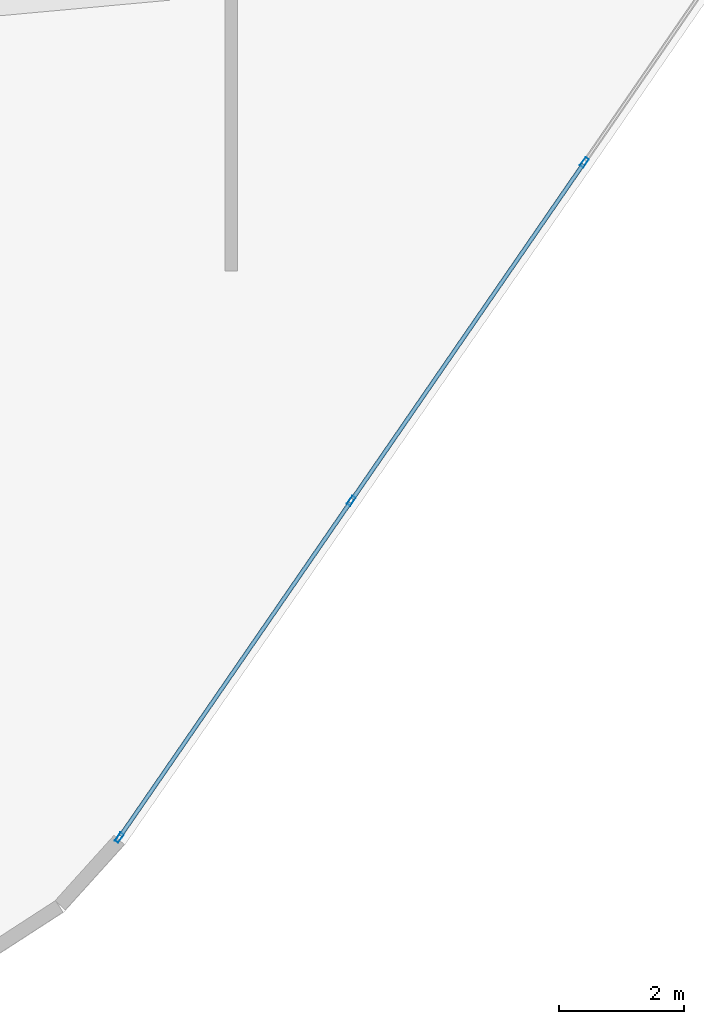
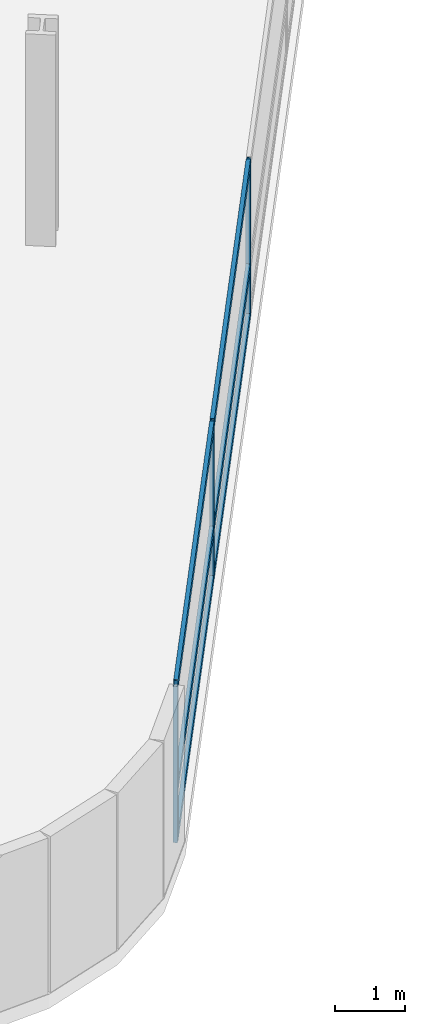
# One storey, part 6 of 24: 9 members, 1 element without a shape of its own.
"""IFC4 building model written with IfcOpenShell, lengths in metres."""

from ifc_helpers import new_model, si_unit, direction, frame, origin, origin_2d, place, context, subcontext, project, spatial, hollow_rectangle, extrude, material, layer, layer_set, material_profile, profile_set, type_object, element, aggregate, save


model = new_model("IFC4")

# Units and contexts
model_context = context("Model", 3, precision=1e-05, world=origin(), true_north=direction((0.0, 1.0)))
body_context = subcontext(model_context, "Body", "Model", "MODEL_VIEW")
ifc_project = project(units=[si_unit("LENGTHUNIT", "METRE"), si_unit("AREAUNIT", "SQUARE_METRE"), si_unit("VOLUMEUNIT", "CUBIC_METRE"), si_unit("PLANEANGLEUNIT", "RADIAN"), si_unit("MASSUNIT", "GRAM", prefix="KILO")], contexts=[model_context])

# Site, building, storey
site_placement = place(None, origin())
site = spatial("IfcSite", under=ifc_project, at=site_placement, CompositionType="ELEMENT")
building_placement = place(site_placement, origin())
building = spatial("IfcBuilding", under=site, at=building_placement, Name="Varnelok Gate Tower", CompositionType="ELEMENT")
storey_placement = place(building_placement, frame((0.0, 0.0, 41.800048828125)))
storey = spatial("IfcBuildingStorey", under=building, at=storey_placement, Name="L09", CompositionType="ELEMENT", Elevation=41.800048828125)

# Curtain wall, members
ifc_material = material(Name="Anodized Aluminum Alloy 6063-T6", Category="aluminium")
ifc_layer = layer(ifc_material, 0.179931640625)
ifc_layer_set = layer_set([ifc_layer], Name="Anodized Aluminum Alloy 6063-T6")
curtain_wall_type = type_object("IfcCurtainWallType", Name="CW3-HOTEL-VISION", PredefinedType="USERDEFINED", material=ifc_layer_set)
curtain_wall_placement = place(storey_placement, origin())
curtain_wall = element("IfcCurtainWall", 1, at=curtain_wall_placement, inside=storey, type_object=curtain_wall_type, Name="L09 East End Vision Curtain Wall", ObjectType="UNITISED CURTAIN WALL", PredefinedType="USERDEFINED")
ifc_material_profile_1 = material_profile(ifc_material, hollow_rectangle(XDim=0.06494140625, YDim=0.159912109375, WallThickness=0.00390625, at=origin_2d()), Name="ALU160X65X4")
ifc_profile_set_1 = profile_set([ifc_material_profile_1], Name="Anodized Aluminum Alloy 6063-T6")
member_type_1 = type_object("IfcMemberType", Name="CW-MULL-160", PredefinedType="MULLION", material=ifc_profile_set_1)
member_1_placement = place(storey_placement, frame((67.64208984375, -2.265380859375, 0.0), z_axis=(0.0, 0.0, 1.0), x_axis=(0.823532685111, -0.567268822124, 0.0)))
member_1 = element("IfcMember", 2, at=member_1_placement, type_object=member_type_1, Name="CW3 mullion 5", PredefinedType="MULLION", context=body_context, shape_type="SweptSolid", body=[
    extrude(hollow_rectangle(XDim=0.06494140625, YDim=0.159912109375, WallThickness=0.00390625, at=origin_2d()), origin(), (0.0, 0.0, 1.0), 2.72998046875),
])
member_2_placement = place(storey_placement, frame((63.9169921875, -7.67333984375, 0.0), z_axis=(0.0, 0.0, 1.0), x_axis=(0.823532685111, -0.567268822124, 0.0)))
member_2 = element("IfcMember", 3, at=member_2_placement, type_object=member_type_1, Name="CW3 mullion 6", PredefinedType="MULLION", context=body_context, shape_type="SweptSolid", body=[
    extrude(hollow_rectangle(XDim=0.06494140625, YDim=0.159912109375, WallThickness=0.00390625, at=origin_2d()), origin(), (0.0, 0.0, 1.0), 2.72998046875),
])
member_3_placement = place(storey_placement, frame((60.21044921875, -13.054443359375, 0.0), z_axis=(0.0, 0.0, 1.0), x_axis=(0.823532685111, -0.567268822124, 0.0)))
member_3 = element("IfcMember", 4, at=member_3_placement, type_object=member_type_1, Name="CW3 mullion 7", PredefinedType="MULLION", context=body_context, shape_type="SweptSolid", body=[
    extrude(hollow_rectangle(XDim=0.06494140625, YDim=0.159912109375, WallThickness=0.00390625, at=origin_2d()), origin(), (0.0, 0.0, 1.0), 2.72998046875),
])
ifc_material_profile_2 = material_profile(ifc_material, hollow_rectangle(XDim=0.06494140625, YDim=0.159912109375, WallThickness=0.00390625, at=origin_2d()), Name="ALU160X65X4")
ifc_profile_set_2 = profile_set([ifc_material_profile_2], Name="Anodized Aluminum Alloy 6063-T6")
member_type_2 = type_object("IfcMemberType", Name="CW-TRAN-160", PredefinedType="USERDEFINED", material=ifc_profile_set_2)
member_4_placement = place(storey_placement, frame((67.623779296875, -2.292236328125, 0.032470703125), z_axis=(-0.567279204469, -0.823525533409, 0.0), x_axis=(0.823525533409, -0.567279204469, 0.0)))
member_4 = element("IfcMember", 5, at=member_4_placement, type_object=member_type_2, Name="CW3 transom 5.1", ObjectType="TRANSOM", PredefinedType="USERDEFINED", context=body_context, shape_type="SweptSolid", body=[
    extrude(hollow_rectangle(XDim=0.06494140625, YDim=0.159912109375, WallThickness=0.00390625, at=origin_2d()), origin(), (0.0, 0.0, 1.0), 6.501708984375),
])
member_5_placement = place(storey_placement, frame((67.623779296875, -2.292236328125, 0.89990234375), z_axis=(-0.567279204469, -0.823525533409, 0.0), x_axis=(0.823525533409, -0.567279204469, 0.0)))
member_5 = element("IfcMember", 6, at=member_5_placement, type_object=member_type_2, Name="CW3 transom 5.2", ObjectType="TRANSOM", PredefinedType="USERDEFINED", context=body_context, shape_type="SweptSolid", body=[
    extrude(hollow_rectangle(XDim=0.06494140625, YDim=0.159912109375, WallThickness=0.00390625, at=origin_2d()), origin(), (0.0, 0.0, 1.0), 6.501708984375),
])
member_6_placement = place(storey_placement, frame((67.623779296875, -2.292236328125, 2.697509765625), z_axis=(-0.567279204469, -0.823525533409, 0.0), x_axis=(0.823525533409, -0.567279204469, 0.0)))
member_6 = element("IfcMember", 7, at=member_6_placement, type_object=member_type_2, Name="CW3 transom 5.3", ObjectType="TRANSOM", PredefinedType="USERDEFINED", context=body_context, shape_type="SweptSolid", body=[
    extrude(hollow_rectangle(XDim=0.06494140625, YDim=0.159912109375, WallThickness=0.00390625, at=origin_2d()), origin(), (0.0, 0.0, 1.0), 6.501708984375),
])
member_7_placement = place(storey_placement, frame((63.898681640625, -7.699951171875, 0.032470703125), z_axis=(-0.567281349446, -0.823524055854, 0.0), x_axis=(0.823524055854, -0.567281349446, 0.0)))
member_7 = element("IfcMember", 8, at=member_7_placement, type_object=member_type_2, Name="CW3 transom 6.1", ObjectType="TRANSOM", PredefinedType="USERDEFINED", context=body_context, shape_type="SweptSolid", body=[
    extrude(hollow_rectangle(XDim=0.06494140625, YDim=0.159912109375, WallThickness=0.00390625, at=origin_2d()), origin(), (0.0, 0.0, 1.0), 6.46923828125),
])
member_8_placement = place(storey_placement, frame((63.898681640625, -7.699951171875, 0.89990234375), z_axis=(-0.567281349446, -0.823524055854, 0.0), x_axis=(0.823524055854, -0.567281349446, 0.0)))
member_8 = element("IfcMember", 9, at=member_8_placement, type_object=member_type_2, Name="CW3 transom 6.2", ObjectType="TRANSOM", PredefinedType="USERDEFINED", context=body_context, shape_type="SweptSolid", body=[
    extrude(hollow_rectangle(XDim=0.06494140625, YDim=0.159912109375, WallThickness=0.00390625, at=origin_2d()), origin(), (0.0, 0.0, 1.0), 6.46923828125),
])
member_9_placement = place(storey_placement, frame((63.898681640625, -7.699951171875, 2.697509765625), z_axis=(-0.567281349446, -0.823524055854, 0.0), x_axis=(0.823524055854, -0.567281349446, 0.0)))
member_9 = element("IfcMember", 10, at=member_9_placement, type_object=member_type_2, Name="CW3 transom 6.3", ObjectType="TRANSOM", PredefinedType="USERDEFINED", context=body_context, shape_type="SweptSolid", body=[
    extrude(hollow_rectangle(XDim=0.06494140625, YDim=0.159912109375, WallThickness=0.00390625, at=origin_2d()), origin(), (0.0, 0.0, 1.0), 6.46923828125),
])
aggregate(curtain_wall, [member_1, member_2, member_3, member_4, member_5, member_6, member_7, member_8, member_9])

save(model, "model.ifc")
